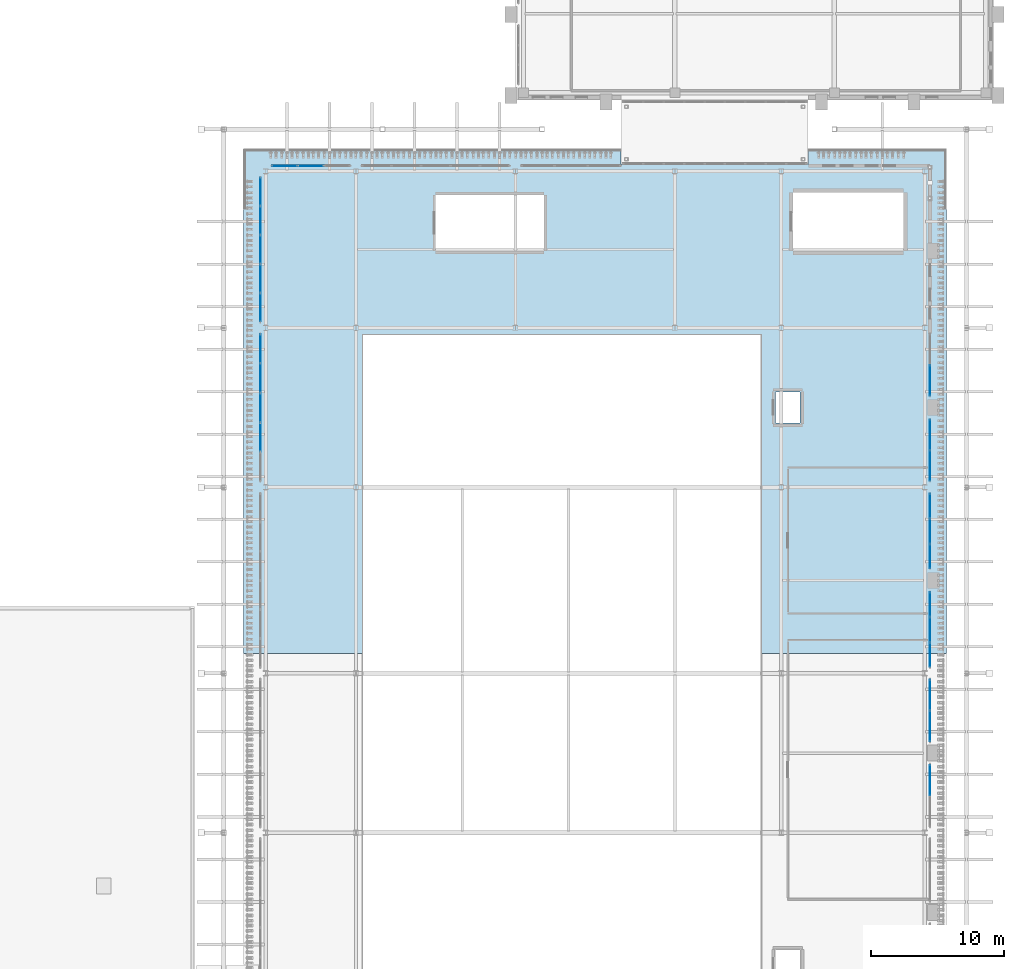
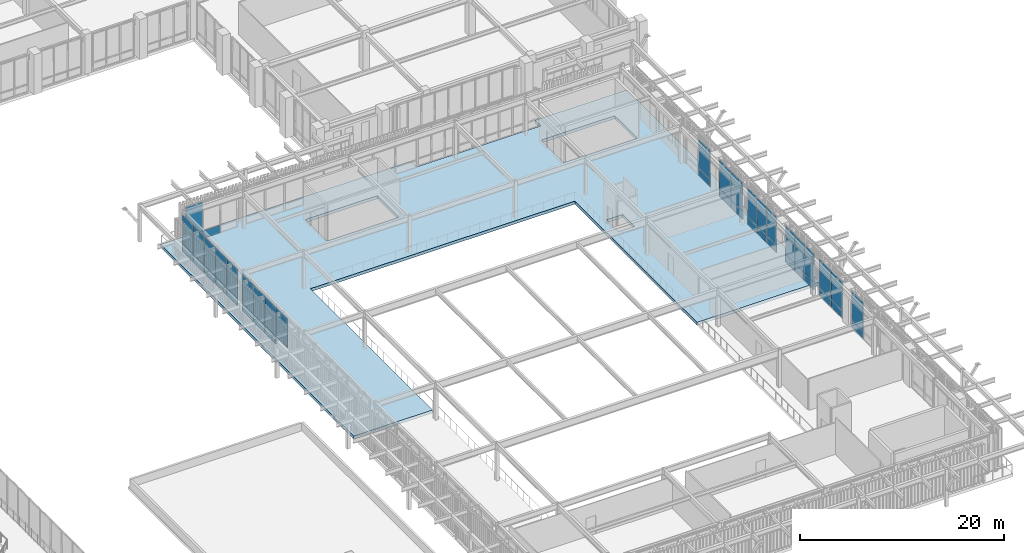
# One storey, part 76 of 126: 44 plates, 1 slab, 9 elements without a shape of their own.
"""IFC4 building model written with IfcOpenShell, lengths in metres."""

from ifc_helpers import new_model, si_unit, derived_unit, direction, frame, origin, origin_2d, place, context, subcontext, project, spatial, polyline, rectangle, outline, extrude, material, layer, layer_set, type_object, element, aggregate, save


model = new_model("IFC4")

# Units and contexts
model_context = context("Model", 3, precision=1e-05, world=origin(), true_north=direction((0.0, 1.0)))
body_context = subcontext(model_context, "Body", "Model", "MODEL_VIEW")
ifc_project = project(units=[si_unit("LENGTHUNIT", "METRE"), si_unit("AREAUNIT", "SQUARE_METRE"), si_unit("VOLUMEUNIT", "CUBIC_METRE"), si_unit("PLANEANGLEUNIT", "RADIAN"), si_unit("MASSUNIT", "GRAM", prefix="KILO"), derived_unit("THERMALTRANSMITTANCEUNIT", [(si_unit("MASSUNIT", "GRAM", prefix="KILO"), 1), (si_unit("TIMEUNIT", "SECOND"), -3), (si_unit("THERMODYNAMICTEMPERATUREUNIT", "KELVIN"), -1)])], contexts=[model_context])

# Site, building, storey
site_placement = place(None, origin())
site = spatial("IfcSite", under=ifc_project, at=site_placement, CompositionType="ELEMENT")
building_placement = place(site_placement, origin())
building = spatial("IfcBuilding", under=site, at=building_placement, Name="Valcora Ridge Arena", CompositionType="ELEMENT")
storey_placement = place(building_placement, frame((0.0, 0.0, 11.39990234375)))
storey = spatial("IfcBuildingStorey", under=building, at=storey_placement, Name="L02", CompositionType="ELEMENT", Elevation=11.39990234375)

# Curtain wall, plates
ifc_material_1 = material(Name="Anodised dark bronze architectural aluminium 6063-T6", Category="aluminium")
ifc_layer_1 = layer(ifc_material_1, 0.179931640625, Name="Anodised dark bronze architectural aluminium 6063-T6")
ifc_layer_set_1 = layer_set([ifc_layer_1], Name="Anodised dark bronze architectural aluminium 6063-T6")
curtain_wall_type_1 = type_object("IfcCurtainWallType", Name="TY-CURTAINWALL-CW-V2-GLAZ-057X45", PredefinedType="NOTDEFINED", material=ifc_layer_set_1)
curtain_wall_1_placement = place(storey_placement, origin())
curtain_wall_1 = element("IfcCurtainWall", 1, at=curtain_wall_1_placement, inside=storey, type_object=curtain_wall_type_1, Name="CW-V2-GLAZ-057X45 CW-0075", PredefinedType="NOTDEFINED")
ifc_material_2 = material(Name="Low-iron solar-control double glazing SHGC 0.28", Category="glass")
ifc_layer_2 = layer(ifc_material_2, 0.028076171875, Name="Low-iron solar-control double glazing SHGC 0.28")
ifc_layer_set_2 = layer_set([ifc_layer_2], Name="Low-iron solar-control double glazing SHGC 0.28")
plate_type_1 = type_object("IfcPlateType", Name="TY-PLT-CWP-1821X0875", PredefinedType="CURTAIN_PANEL", material=ifc_layer_set_2)
plate_1_placement = place(storey_placement, frame((187.199951171875, 41.39697265625, 0.050048828125), z_axis=(0.0, 0.0, 1.0), x_axis=(0.0, 1.0, 0.0)))
plate_1 = element("IfcPlate", 2, at=plate_1_placement, type_object=plate_type_1, Name="CW-0075/P00-00", PredefinedType="CURTAIN_PANEL", context=body_context, shape_type="SweptSolid", body=[
    extrude(rectangle(XDim=1.821044921875, YDim=0.028076171875, at=origin_2d()), origin(), (0.0, 0.0, 1.0), 0.875),
])
plate_2_placement = place(storey_placement, frame((187.199951171875, 45.18896484375, 0.050048828125), z_axis=(0.0, 0.0, 1.0), x_axis=(0.0, 1.0, 0.0)))
plate_2 = element("IfcPlate", 3, at=plate_2_placement, type_object=plate_type_1, Name="CW-0075/P02-00", PredefinedType="CURTAIN_PANEL", context=body_context, shape_type="SweptSolid", body=[
    extrude(rectangle(XDim=1.821044921875, YDim=0.028076171875, at=origin_2d()), origin(), (0.0, 0.0, 1.0), 0.875),
])

curtain_wall_2_placement = place(storey_placement, origin())
curtain_wall_2 = element("IfcCurtainWall", 4, at=curtain_wall_2_placement, inside=storey, type_object=curtain_wall_type_1, Name="CW-V2-GLAZ-057X45 CW-0076", PredefinedType="NOTDEFINED")
plate_3_placement = place(storey_placement, frame((187.199951171875, 48.810546875, 0.050048828125), z_axis=(0.0, 0.0, 1.0), x_axis=(0.0, 1.0, 0.0)))
plate_3 = element("IfcPlate", 5, at=plate_3_placement, type_object=plate_type_1, Name="CW-0076/P00-00", PredefinedType="CURTAIN_PANEL", context=body_context, shape_type="SweptSolid", body=[
    extrude(rectangle(XDim=1.821044921875, YDim=0.028076171875, at=origin_2d()), origin(), (0.0, 0.0, 1.0), 0.875),
])
plate_4_placement = place(storey_placement, frame((187.199951171875, 52.6025390625, 0.050048828125), z_axis=(0.0, 0.0, 1.0), x_axis=(0.0, 1.0, 0.0)))
plate_4 = element("IfcPlate", 6, at=plate_4_placement, type_object=plate_type_1, Name="CW-0076/P02-00", PredefinedType="CURTAIN_PANEL", context=body_context, shape_type="SweptSolid", body=[
    extrude(rectangle(XDim=1.821044921875, YDim=0.028076171875, at=origin_2d()), origin(), (0.0, 0.0, 1.0), 0.875),
])

# Plate
ifc_layer_3 = layer(ifc_material_2, 0.028076171875, Name="Low-iron solar-control double glazing SHGC 0.28")
ifc_layer_set_3 = layer_set([ifc_layer_3], Name="Low-iron solar-control double glazing SHGC 0.28")
plate_type_2 = type_object("IfcPlateType", Name="TY-PLT-CWP-1821X3455", PredefinedType="CURTAIN_PANEL", material=ifc_layer_set_3)
plate_5_placement = place(storey_placement, frame((187.199951171875, 41.39697265625, 0.97509765625), z_axis=(0.0, 0.0, 1.0), x_axis=(0.0, 1.0, 0.0)))
plate_5 = element("IfcPlate", 7, at=plate_5_placement, type_object=plate_type_2, Name="CW-0075/P00-01", PredefinedType="CURTAIN_PANEL", context=body_context, shape_type="SweptSolid", body=[
    extrude(rectangle(XDim=1.821044921875, YDim=0.028076171875, at=origin_2d()), origin(), (0.0, 0.0, 1.0), 3.455078125),
])

plate_6_placement = place(storey_placement, frame((187.199951171875, 45.18896484375, 0.97509765625), z_axis=(0.0, 0.0, 1.0), x_axis=(0.0, 1.0, 0.0)))
plate_6 = element("IfcPlate", 8, at=plate_6_placement, type_object=plate_type_2, Name="CW-0075/P02-01", PredefinedType="CURTAIN_PANEL", context=body_context, shape_type="SweptSolid", body=[
    extrude(rectangle(XDim=1.821044921875, YDim=0.028076171875, at=origin_2d()), origin(), (0.0, 0.0, 1.0), 3.455078125),
])

plate_7_placement = place(storey_placement, frame((187.199951171875, 48.810546875, 0.97509765625), z_axis=(0.0, 0.0, 1.0), x_axis=(0.0, 1.0, 0.0)))
plate_7 = element("IfcPlate", 9, at=plate_7_placement, type_object=plate_type_2, Name="CW-0076/P00-01", PredefinedType="CURTAIN_PANEL", context=body_context, shape_type="SweptSolid", body=[
    extrude(rectangle(XDim=1.821044921875, YDim=0.028076171875, at=origin_2d()), origin(), (0.0, 0.0, 1.0), 3.455078125),
])

plate_8_placement = place(storey_placement, frame((187.199951171875, 52.6025390625, 0.97509765625), z_axis=(0.0, 0.0, 1.0), x_axis=(0.0, 1.0, 0.0)))
plate_8 = element("IfcPlate", 10, at=plate_8_placement, type_object=plate_type_2, Name="CW-0076/P02-01", PredefinedType="CURTAIN_PANEL", context=body_context, shape_type="SweptSolid", body=[
    extrude(rectangle(XDim=1.821044921875, YDim=0.028076171875, at=origin_2d()), origin(), (0.0, 0.0, 1.0), 3.455078125),
])

ifc_layer_4 = layer(ifc_material_2, 0.028076171875, Name="Low-iron solar-control double glazing SHGC 0.28")
ifc_layer_set_4 = layer_set([ifc_layer_4], Name="Low-iron solar-control double glazing SHGC 0.28")
plate_type_3 = type_object("IfcPlateType", Name="TY-PLT-CWP-1851X0875", PredefinedType="CURTAIN_PANEL", material=ifc_layer_set_4)
plate_9_placement = place(storey_placement, frame((187.199951171875, 43.29296875, 0.050048828125), z_axis=(0.0, 0.0, 1.0), x_axis=(0.0, 1.0, 0.0)))
plate_9 = element("IfcPlate", 11, at=plate_9_placement, type_object=plate_type_3, Name="CW-0075/P01-00", PredefinedType="CURTAIN_PANEL", context=body_context, shape_type="SweptSolid", body=[
    extrude(rectangle(XDim=1.85107421875, YDim=0.028076171875, at=origin_2d()), origin(), (0.0, 0.0, 1.0), 0.875),
])

plate_10_placement = place(storey_placement, frame((187.199951171875, 50.70654296875, 0.050048828125), z_axis=(0.0, 0.0, 1.0), x_axis=(0.0, 1.0, 0.0)))
plate_10 = element("IfcPlate", 12, at=plate_10_placement, type_object=plate_type_3, Name="CW-0076/P01-00", PredefinedType="CURTAIN_PANEL", context=body_context, shape_type="SweptSolid", body=[
    extrude(rectangle(XDim=1.85107421875, YDim=0.028076171875, at=origin_2d()), origin(), (0.0, 0.0, 1.0), 0.875),
])

ifc_layer_5 = layer(ifc_material_2, 0.028076171875, Name="Low-iron solar-control double glazing SHGC 0.28")
ifc_layer_set_5 = layer_set([ifc_layer_5], Name="Low-iron solar-control double glazing SHGC 0.28")
plate_type_4 = type_object("IfcPlateType", Name="TY-PLT-CWP-1851X3455", PredefinedType="CURTAIN_PANEL", material=ifc_layer_set_5)
plate_11_placement = place(storey_placement, frame((187.199951171875, 43.29296875, 0.97509765625), z_axis=(0.0, 0.0, 1.0), x_axis=(0.0, 1.0, 0.0)))
plate_11 = element("IfcPlate", 13, at=plate_11_placement, type_object=plate_type_4, Name="CW-0075/P01-01", PredefinedType="CURTAIN_PANEL", context=body_context, shape_type="SweptSolid", body=[
    extrude(rectangle(XDim=1.85107421875, YDim=0.028076171875, at=origin_2d()), origin(), (0.0, 0.0, 1.0), 3.455078125),
])

aggregate(curtain_wall_1, [plate_1, plate_5, plate_9, plate_11, plate_2, plate_6])

plate_12_placement = place(storey_placement, frame((187.199951171875, 50.70654296875, 0.97509765625), z_axis=(0.0, 0.0, 1.0), x_axis=(0.0, 1.0, 0.0)))
plate_12 = element("IfcPlate", 14, at=plate_12_placement, type_object=plate_type_4, Name="CW-0076/P01-01", PredefinedType="CURTAIN_PANEL", context=body_context, shape_type="SweptSolid", body=[
    extrude(rectangle(XDim=1.85107421875, YDim=0.028076171875, at=origin_2d()), origin(), (0.0, 0.0, 1.0), 3.455078125),
])

aggregate(curtain_wall_2, [plate_3, plate_7, plate_10, plate_12, plate_4, plate_8])

# Curtain wall, plates
ifc_layer_6 = layer(ifc_material_1, 0.179931640625, Name="Anodised dark bronze architectural aluminium 6063-T6")
ifc_layer_set_6 = layer_set([ifc_layer_6], Name="Anodised dark bronze architectural aluminium 6063-T6")
curtain_wall_type_2 = type_object("IfcCurtainWallType", Name="TY-CURTAINWALL-CW-V2-GLAZ-059X45", PredefinedType="NOTDEFINED", material=ifc_layer_set_6)
curtain_wall_3_placement = place(storey_placement, origin())
curtain_wall_3 = element("IfcCurtainWall", 15, at=curtain_wall_3_placement, inside=storey, type_object=curtain_wall_type_2, Name="CW-V2-GLAZ-059X45 CW-0079", PredefinedType="NOTDEFINED")
ifc_layer_7 = layer(ifc_material_2, 0.028076171875, Name="Low-iron solar-control double glazing SHGC 0.28")
ifc_layer_set_7 = layer_set([ifc_layer_7], Name="Low-iron solar-control double glazing SHGC 0.28")
plate_type_5 = type_object("IfcPlateType", Name="TY-PLT-CWP-1892X0875", PredefinedType="CURTAIN_PANEL", material=ifc_layer_set_7)
plate_13_placement = place(storey_placement, frame((138.633056640625, 78.199951171875, 0.050048828125), z_axis=(0.0, 0.0, 1.0), x_axis=(1.0, 0.0, 0.0)))
plate_13 = element("IfcPlate", 16, at=plate_13_placement, type_object=plate_type_5, Name="CW-0079/P00-00", PredefinedType="CURTAIN_PANEL", context=body_context, shape_type="SweptSolid", body=[
    extrude(rectangle(XDim=1.89208984375, YDim=0.028076171875, at=origin_2d()), origin(), (0.0, 0.0, 1.0), 0.875),
])
ifc_layer_8 = layer(ifc_material_2, 0.028076171875, Name="Low-iron solar-control double glazing SHGC 0.28")
ifc_layer_set_8 = layer_set([ifc_layer_8], Name="Low-iron solar-control double glazing SHGC 0.28")
plate_type_6 = type_object("IfcPlateType", Name="TY-PLT-CWP-1892X3455", PredefinedType="CURTAIN_PANEL", material=ifc_layer_set_8)
plate_14_placement = place(storey_placement, frame((138.633056640625, 78.199951171875, 0.97509765625), z_axis=(0.0, 0.0, 1.0), x_axis=(1.0, 0.0, 0.0)))
plate_14 = element("IfcPlate", 17, at=plate_14_placement, type_object=plate_type_6, Name="CW-0079/P00-01", PredefinedType="CURTAIN_PANEL", context=body_context, shape_type="SweptSolid", body=[
    extrude(rectangle(XDim=1.89208984375, YDim=0.028076171875, at=origin_2d()), origin(), (0.0, 0.0, 1.0), 3.455078125),
])
ifc_layer_9 = layer(ifc_material_2, 0.028076171875, Name="Low-iron solar-control double glazing SHGC 0.28")
ifc_layer_set_9 = layer_set([ifc_layer_9], Name="Low-iron solar-control double glazing SHGC 0.28")
plate_type_7 = type_object("IfcPlateType", Name="TY-PLT-CWP-1922X0875", PredefinedType="CURTAIN_PANEL", material=ifc_layer_set_9)
plate_15_placement = place(storey_placement, frame((140.60009765625, 78.199951171875, 0.050048828125), z_axis=(0.0, 0.0, 1.0), x_axis=(1.0, 0.0, 0.0)))
plate_15 = element("IfcPlate", 18, at=plate_15_placement, type_object=plate_type_7, Name="CW-0079/P01-00", PredefinedType="CURTAIN_PANEL", context=body_context, shape_type="SweptSolid", body=[
    extrude(rectangle(XDim=1.922119140625, YDim=0.028076171875, at=origin_2d()), origin(), (0.0, 0.0, 1.0), 0.875),
])
aggregate(curtain_wall_3, [plate_13, plate_14, plate_15])

ifc_layer_10 = layer(ifc_material_1, 0.179931640625, Name="Anodised dark bronze architectural aluminium 6063-T6")
ifc_layer_set_10 = layer_set([ifc_layer_10], Name="Anodised dark bronze architectural aluminium 6063-T6")
curtain_wall_type_3 = type_object("IfcCurtainWallType", Name="TY-CURTAINWALL-CW-V2-GLAZ-109X45", PredefinedType="NOTDEFINED", material=ifc_layer_set_10)
curtain_wall_4_placement = place(storey_placement, origin())
curtain_wall_4 = element("IfcCurtainWall", 19, at=curtain_wall_4_placement, inside=storey, type_object=curtain_wall_type_3, Name="CW-V2-GLAZ-109X45 CW-0065", PredefinedType="NOTDEFINED")
ifc_layer_11 = layer(ifc_material_2, 0.028076171875, Name="Low-iron solar-control double glazing SHGC 0.28")
ifc_layer_set_11 = layer_set([ifc_layer_11], Name="Low-iron solar-control double glazing SHGC 0.28")
plate_type_8 = type_object("IfcPlateType", Name="TY-PLT-CWP-2099X0875", PredefinedType="CURTAIN_PANEL", material=ifc_layer_set_11)
plate_16_placement = place(storey_placement, frame((136.800048828125, 67.535888671875, 0.050048828125), z_axis=(0.0, 0.0, 1.0), x_axis=(0.0, 1.0, 0.0)))
plate_16 = element("IfcPlate", 20, at=plate_16_placement, type_object=plate_type_8, Name="CW-0065/P00-00", PredefinedType="CURTAIN_PANEL", context=body_context, shape_type="SweptSolid", body=[
    extrude(rectangle(XDim=2.09912109375, YDim=0.028076171875, at=origin_2d()), origin(), (0.0, 0.0, 1.0), 0.875),
])
plate_17_placement = place(storey_placement, frame((136.800048828125, 76.263916015625, 0.050048828125), z_axis=(0.0, 0.0, 1.0), x_axis=(0.0, 1.0, 0.0)))
plate_17 = element("IfcPlate", 21, at=plate_17_placement, type_object=plate_type_8, Name="CW-0065/P04-00", PredefinedType="CURTAIN_PANEL", context=body_context, shape_type="SweptSolid", body=[
    extrude(rectangle(XDim=2.09912109375, YDim=0.028076171875, at=origin_2d()), origin(), (0.0, 0.0, 1.0), 0.875),
])
ifc_layer_12 = layer(ifc_material_2, 0.028076171875, Name="Low-iron solar-control double glazing SHGC 0.28")
ifc_layer_set_12 = layer_set([ifc_layer_12], Name="Low-iron solar-control double glazing SHGC 0.28")
plate_type_9 = type_object("IfcPlateType", Name="TY-PLT-CWP-2099X3455", PredefinedType="CURTAIN_PANEL", material=ifc_layer_set_12)
plate_18_placement = place(storey_placement, frame((136.800048828125, 67.535888671875, 0.97509765625), z_axis=(0.0, 0.0, 1.0), x_axis=(0.0, 1.0, 0.0)))
plate_18 = element("IfcPlate", 22, at=plate_18_placement, type_object=plate_type_9, Name="CW-0065/P00-01", PredefinedType="CURTAIN_PANEL", context=body_context, shape_type="SweptSolid", body=[
    extrude(rectangle(XDim=2.09912109375, YDim=0.028076171875, at=origin_2d()), origin(), (0.0, 0.0, 1.0), 3.455078125),
])
plate_19_placement = place(storey_placement, frame((136.800048828125, 76.263916015625, 0.97509765625), z_axis=(0.0, 0.0, 1.0), x_axis=(0.0, 1.0, 0.0)))
plate_19 = element("IfcPlate", 23, at=plate_19_placement, type_object=plate_type_9, Name="CW-0065/P04-01", PredefinedType="CURTAIN_PANEL", context=body_context, shape_type="SweptSolid", body=[
    extrude(rectangle(XDim=2.09912109375, YDim=0.028076171875, at=origin_2d()), origin(), (0.0, 0.0, 1.0), 3.455078125),
])
ifc_layer_13 = layer(ifc_material_2, 0.028076171875, Name="Low-iron solar-control double glazing SHGC 0.28")
ifc_layer_set_13 = layer_set([ifc_layer_13], Name="Low-iron solar-control double glazing SHGC 0.28")
plate_type_10 = type_object("IfcPlateType", Name="TY-PLT-CWP-2129X0875", PredefinedType="CURTAIN_PANEL", material=ifc_layer_set_13)
plate_20_placement = place(storey_placement, frame((136.800048828125, 71.89990234375, 0.050048828125), z_axis=(0.0, 0.0, 1.0), x_axis=(0.0, 1.0, 0.0)))
plate_20 = element("IfcPlate", 24, at=plate_20_placement, type_object=plate_type_10, Name="CW-0065/P02-00", PredefinedType="CURTAIN_PANEL", context=body_context, shape_type="SweptSolid", body=[
    extrude(rectangle(XDim=2.12890625, YDim=0.028076171875, at=origin_2d()), origin(), (0.0, 0.0, 1.0), 0.875),
])
ifc_layer_14 = layer(ifc_material_2, 0.028076171875, Name="Low-iron solar-control double glazing SHGC 0.28")
ifc_layer_set_14 = layer_set([ifc_layer_14], Name="Low-iron solar-control double glazing SHGC 0.28")
plate_type_11 = type_object("IfcPlateType", Name="TY-PLT-CWP-2129X3455", PredefinedType="CURTAIN_PANEL", material=ifc_layer_set_14)
plate_21_placement = place(storey_placement, frame((136.800048828125, 71.89990234375, 0.97509765625), z_axis=(0.0, 0.0, 1.0), x_axis=(0.0, 1.0, 0.0)))
plate_21 = element("IfcPlate", 25, at=plate_21_placement, type_object=plate_type_11, Name="CW-0065/P02-01", PredefinedType="CURTAIN_PANEL", context=body_context, shape_type="SweptSolid", body=[
    extrude(rectangle(XDim=2.12890625, YDim=0.028076171875, at=origin_2d()), origin(), (0.0, 0.0, 1.0), 3.455078125),
])
ifc_layer_15 = layer(ifc_material_2, 0.028076171875, Name="Low-iron solar-control double glazing SHGC 0.28")
ifc_layer_set_15 = layer_set([ifc_layer_15], Name="Low-iron solar-control double glazing SHGC 0.28")
plate_type_12 = type_object("IfcPlateType", Name="TY-PLT-CWP-2130X0875", PredefinedType="CURTAIN_PANEL", material=ifc_layer_set_15)
plate_22_placement = place(storey_placement, frame((136.800048828125, 69.71044921875, 0.050048828125), z_axis=(0.0, 0.0, 1.0), x_axis=(0.0, 1.0, 0.0)))
plate_22 = element("IfcPlate", 26, at=plate_22_placement, type_object=plate_type_12, Name="CW-0065/P01-00", PredefinedType="CURTAIN_PANEL", context=body_context, shape_type="SweptSolid", body=[
    extrude(rectangle(XDim=2.1298828125, YDim=0.028076171875, at=origin_2d()), origin(), (0.0, 0.0, 1.0), 0.875),
])
plate_23_placement = place(storey_placement, frame((136.800048828125, 74.089599609375, 0.050048828125), z_axis=(0.0, 0.0, 1.0), x_axis=(0.0, 1.0, 0.0)))
plate_23 = element("IfcPlate", 27, at=plate_23_placement, type_object=plate_type_12, Name="CW-0065/P03-00", PredefinedType="CURTAIN_PANEL", context=body_context, shape_type="SweptSolid", body=[
    extrude(rectangle(XDim=2.1298828125, YDim=0.028076171875, at=origin_2d()), origin(), (0.0, 0.0, 1.0), 0.875),
])
ifc_layer_16 = layer(ifc_material_2, 0.028076171875, Name="Low-iron solar-control double glazing SHGC 0.28")
ifc_layer_set_16 = layer_set([ifc_layer_16], Name="Low-iron solar-control double glazing SHGC 0.28")
plate_type_13 = type_object("IfcPlateType", Name="TY-PLT-CWP-2130X3455", PredefinedType="CURTAIN_PANEL", material=ifc_layer_set_16)
plate_24_placement = place(storey_placement, frame((136.800048828125, 69.71044921875, 0.97509765625), z_axis=(0.0, 0.0, 1.0), x_axis=(0.0, 1.0, 0.0)))
plate_24 = element("IfcPlate", 28, at=plate_24_placement, type_object=plate_type_13, Name="CW-0065/P01-01", PredefinedType="CURTAIN_PANEL", context=body_context, shape_type="SweptSolid", body=[
    extrude(rectangle(XDim=2.1298828125, YDim=0.028076171875, at=origin_2d()), origin(), (0.0, 0.0, 1.0), 3.455078125),
])
plate_25_placement = place(storey_placement, frame((136.800048828125, 74.089599609375, 0.97509765625), z_axis=(0.0, 0.0, 1.0), x_axis=(0.0, 1.0, 0.0)))
plate_25 = element("IfcPlate", 29, at=plate_25_placement, type_object=plate_type_13, Name="CW-0065/P03-01", PredefinedType="CURTAIN_PANEL", context=body_context, shape_type="SweptSolid", body=[
    extrude(rectangle(XDim=2.1298828125, YDim=0.028076171875, at=origin_2d()), origin(), (0.0, 0.0, 1.0), 3.455078125),
])
aggregate(curtain_wall_4, [plate_16, plate_18, plate_22, plate_24, plate_20, plate_21, plate_23, plate_25, plate_17, plate_19])

ifc_layer_17 = layer(ifc_material_1, 0.179931640625, Name="Anodised dark bronze architectural aluminium 6063-T6")
ifc_layer_set_17 = layer_set([ifc_layer_17], Name="Anodised dark bronze architectural aluminium 6063-T6")
curtain_wall_type_4 = type_object("IfcCurtainWallType", Name="TY-CURTAINWALL-CW-V2-GLAZ-111X45", PredefinedType="NOTDEFINED", material=ifc_layer_set_17)
curtain_wall_5_placement = place(storey_placement, origin())
curtain_wall_5 = element("IfcCurtainWall", 30, at=curtain_wall_5_placement, inside=storey, type_object=curtain_wall_type_4, Name="CW-V2-GLAZ-111X45 CW-0064", PredefinedType="NOTDEFINED")
ifc_layer_18 = layer(ifc_material_2, 0.028076171875, Name="Low-iron solar-control double glazing SHGC 0.28")
ifc_layer_set_18 = layer_set([ifc_layer_18], Name="Low-iron solar-control double glazing SHGC 0.28")
plate_type_14 = type_object("IfcPlateType", Name="TY-PLT-CWP-2139X0875", PredefinedType="CURTAIN_PANEL", material=ifc_layer_set_18)
plate_26_placement = place(storey_placement, frame((136.800048828125, 64.444091796875, 0.050048828125), z_axis=(0.0, 0.0, 1.0), x_axis=(0.0, 1.0, 0.0)))
plate_26 = element("IfcPlate", 31, at=plate_26_placement, type_object=plate_type_14, Name="CW-0064/P04-00", PredefinedType="CURTAIN_PANEL", context=body_context, shape_type="SweptSolid", body=[
    extrude(rectangle(XDim=2.138916015625, YDim=0.028076171875, at=origin_2d()), origin(), (0.0, 0.0, 1.0), 0.875),
])
ifc_layer_19 = layer(ifc_material_2, 0.028076171875, Name="Low-iron solar-control double glazing SHGC 0.28")
ifc_layer_set_19 = layer_set([ifc_layer_19], Name="Low-iron solar-control double glazing SHGC 0.28")
plate_type_15 = type_object("IfcPlateType", Name="TY-PLT-CWP-2139X3455", PredefinedType="CURTAIN_PANEL", material=ifc_layer_set_19)
plate_27_placement = place(storey_placement, frame((136.800048828125, 64.444091796875, 0.97509765625), z_axis=(0.0, 0.0, 1.0), x_axis=(0.0, 1.0, 0.0)))
plate_27 = element("IfcPlate", 32, at=plate_27_placement, type_object=plate_type_15, Name="CW-0064/P04-01", PredefinedType="CURTAIN_PANEL", context=body_context, shape_type="SweptSolid", body=[
    extrude(rectangle(XDim=2.138916015625, YDim=0.028076171875, at=origin_2d()), origin(), (0.0, 0.0, 1.0), 3.455078125),
])
ifc_layer_20 = layer(ifc_material_2, 0.028076171875, Name="Low-iron solar-control double glazing SHGC 0.28")
ifc_layer_set_20 = layer_set([ifc_layer_20], Name="Low-iron solar-control double glazing SHGC 0.28")
plate_type_16 = type_object("IfcPlateType", Name="TY-PLT-CWP-2169X0875", PredefinedType="CURTAIN_PANEL", material=ifc_layer_set_20)
plate_28_placement = place(storey_placement, frame((136.800048828125, 60.0, 0.050048828125), z_axis=(0.0, 0.0, 1.0), x_axis=(0.0, 1.0, 0.0)))
plate_28 = element("IfcPlate", 33, at=plate_28_placement, type_object=plate_type_16, Name="CW-0064/P02-00", PredefinedType="CURTAIN_PANEL", context=body_context, shape_type="SweptSolid", body=[
    extrude(rectangle(XDim=2.1689453125, YDim=0.028076171875, at=origin_2d()), origin(), (0.0, 0.0, 1.0), 0.875),
])
ifc_layer_21 = layer(ifc_material_2, 0.028076171875, Name="Low-iron solar-control double glazing SHGC 0.28")
ifc_layer_set_21 = layer_set([ifc_layer_21], Name="Low-iron solar-control double glazing SHGC 0.28")
plate_type_17 = type_object("IfcPlateType", Name="TY-PLT-CWP-2169X3455", PredefinedType="CURTAIN_PANEL", material=ifc_layer_set_21)
plate_29_placement = place(storey_placement, frame((136.800048828125, 60.0, 0.97509765625), z_axis=(0.0, 0.0, 1.0), x_axis=(0.0, 1.0, 0.0)))
plate_29 = element("IfcPlate", 34, at=plate_29_placement, type_object=plate_type_17, Name="CW-0064/P02-01", PredefinedType="CURTAIN_PANEL", context=body_context, shape_type="SweptSolid", body=[
    extrude(rectangle(XDim=2.1689453125, YDim=0.028076171875, at=origin_2d()), origin(), (0.0, 0.0, 1.0), 3.455078125),
])
ifc_layer_22 = layer(ifc_material_2, 0.028076171875, Name="Low-iron solar-control double glazing SHGC 0.28")
ifc_layer_set_22 = layer_set([ifc_layer_22], Name="Low-iron solar-control double glazing SHGC 0.28")
plate_type_18 = type_object("IfcPlateType", Name="TY-PLT-CWP-2170X0875", PredefinedType="CURTAIN_PANEL", material=ifc_layer_set_22)
plate_30_placement = place(storey_placement, frame((136.800048828125, 62.2294921875, 0.050048828125), z_axis=(0.0, 0.0, 1.0), x_axis=(0.0, 1.0, 0.0)))
plate_30 = element("IfcPlate", 35, at=plate_30_placement, type_object=plate_type_18, Name="CW-0064/P03-00", PredefinedType="CURTAIN_PANEL", context=body_context, shape_type="SweptSolid", body=[
    extrude(rectangle(XDim=2.169921875, YDim=0.028076171875, at=origin_2d()), origin(), (0.0, 0.0, 1.0), 0.875),
])
ifc_layer_23 = layer(ifc_material_2, 0.028076171875, Name="Low-iron solar-control double glazing SHGC 0.28")
ifc_layer_set_23 = layer_set([ifc_layer_23], Name="Low-iron solar-control double glazing SHGC 0.28")
plate_type_19 = type_object("IfcPlateType", Name="TY-PLT-CWP-2170X3455", PredefinedType="CURTAIN_PANEL", material=ifc_layer_set_23)
plate_31_placement = place(storey_placement, frame((136.800048828125, 57.7705078125, 0.97509765625), z_axis=(0.0, 0.0, 1.0), x_axis=(0.0, 1.0, 0.0)))
plate_31 = element("IfcPlate", 36, at=plate_31_placement, type_object=plate_type_19, Name="CW-0064/P01-01", PredefinedType="CURTAIN_PANEL", context=body_context, shape_type="SweptSolid", body=[
    extrude(rectangle(XDim=2.169921875, YDim=0.028076171875, at=origin_2d()), origin(), (0.0, 0.0, 1.0), 3.455078125),
])
plate_32_placement = place(storey_placement, frame((136.800048828125, 62.2294921875, 0.97509765625), z_axis=(0.0, 0.0, 1.0), x_axis=(0.0, 1.0, 0.0)))
plate_32 = element("IfcPlate", 37, at=plate_32_placement, type_object=plate_type_19, Name="CW-0064/P03-01", PredefinedType="CURTAIN_PANEL", context=body_context, shape_type="SweptSolid", body=[
    extrude(rectangle(XDim=2.169921875, YDim=0.028076171875, at=origin_2d()), origin(), (0.0, 0.0, 1.0), 3.455078125),
])
aggregate(curtain_wall_5, [plate_31, plate_28, plate_29, plate_30, plate_32, plate_26, plate_27])

# Curtain wall, plate
ifc_layer_24 = layer(ifc_material_1, 0.179931640625, Name="Anodised dark bronze architectural aluminium 6063-T6")
ifc_layer_set_24 = layer_set([ifc_layer_24], Name="Anodised dark bronze architectural aluminium 6063-T6")
curtain_wall_type_5 = type_object("IfcCurtainWallType", Name="TY-CURTAINWALL-CW-V2-GLAZ-047X45", PredefinedType="NOTDEFINED", material=ifc_layer_set_24)
curtain_wall_6_placement = place(storey_placement, origin())
curtain_wall_6 = element("IfcCurtainWall", 38, at=curtain_wall_6_placement, inside=storey, type_object=curtain_wall_type_5, Name="CW-V2-GLAZ-047X45 CW-0073", PredefinedType="NOTDEFINED")
ifc_layer_25 = layer(ifc_material_2, 0.028076171875, Name="Low-iron solar-control double glazing SHGC 0.28")
ifc_layer_set_25 = layer_set([ifc_layer_25], Name="Low-iron solar-control double glazing SHGC 0.28")
plate_type_20 = type_object("IfcPlateType", Name="TY-PLT-CWP-2276X0875", PredefinedType="CURTAIN_PANEL", material=ifc_layer_set_25)
plate_33_placement = place(storey_placement, frame((187.199951171875, 31.96142578125, 0.050048828125), z_axis=(0.0, 0.0, 1.0), x_axis=(0.0, 1.0, 0.0)))
plate_33 = element("IfcPlate", 39, at=plate_33_placement, type_object=plate_type_20, Name="CW-0073/P01-00", PredefinedType="CURTAIN_PANEL", context=body_context, shape_type="SweptSolid", body=[
    extrude(rectangle(XDim=2.27587890625, YDim=0.028076171875, at=origin_2d()), origin(), (0.0, 0.0, 1.0), 0.875),
])

curtain_wall_7_placement = place(storey_placement, origin())
curtain_wall_7 = element("IfcCurtainWall", 40, at=curtain_wall_7_placement, inside=storey, type_object=curtain_wall_type_5, Name="CW-V2-GLAZ-047X45 CW-0074", PredefinedType="NOTDEFINED")
plate_34_placement = place(storey_placement, frame((187.199951171875, 38.375, 0.050048828125), z_axis=(0.0, 0.0, 1.0), x_axis=(0.0, 1.0, 0.0)))
plate_34 = element("IfcPlate", 41, at=plate_34_placement, type_object=plate_type_20, Name="CW-0074/P01-00", PredefinedType="CURTAIN_PANEL", context=body_context, shape_type="SweptSolid", body=[
    extrude(rectangle(XDim=2.27587890625, YDim=0.028076171875, at=origin_2d()), origin(), (0.0, 0.0, 1.0), 0.875),
])

curtain_wall_8_placement = place(storey_placement, origin())
curtain_wall_8 = element("IfcCurtainWall", 42, at=curtain_wall_8_placement, inside=storey, type_object=curtain_wall_type_5, Name="CW-V2-GLAZ-047X45 CW-0077", PredefinedType="NOTDEFINED")
plate_35_placement = place(storey_placement, frame((187.199951171875, 57.96142578125, 0.050048828125), z_axis=(0.0, 0.0, 1.0), x_axis=(0.0, 1.0, 0.0)))
plate_35 = element("IfcPlate", 43, at=plate_35_placement, type_object=plate_type_20, Name="CW-0077/P01-00", PredefinedType="CURTAIN_PANEL", context=body_context, shape_type="SweptSolid", body=[
    extrude(rectangle(XDim=2.27587890625, YDim=0.028076171875, at=origin_2d()), origin(), (0.0, 0.0, 1.0), 0.875),
])

# Plate
ifc_layer_26 = layer(ifc_material_2, 0.028076171875, Name="Low-iron solar-control double glazing SHGC 0.28")
ifc_layer_set_26 = layer_set([ifc_layer_26], Name="Low-iron solar-control double glazing SHGC 0.28")
plate_type_21 = type_object("IfcPlateType", Name="TY-PLT-CWP-2276X3455", PredefinedType="CURTAIN_PANEL", material=ifc_layer_set_26)
plate_36_placement = place(storey_placement, frame((187.199951171875, 31.96142578125, 0.97509765625), z_axis=(0.0, 0.0, 1.0), x_axis=(0.0, 1.0, 0.0)))
plate_36 = element("IfcPlate", 44, at=plate_36_placement, type_object=plate_type_21, Name="CW-0073/P01-01", PredefinedType="CURTAIN_PANEL", context=body_context, shape_type="SweptSolid", body=[
    extrude(rectangle(XDim=2.27587890625, YDim=0.028076171875, at=origin_2d()), origin(), (0.0, 0.0, 1.0), 3.455078125),
])

aggregate(curtain_wall_6, [plate_33, plate_36])

plate_37_placement = place(storey_placement, frame((187.199951171875, 38.375, 0.97509765625), z_axis=(0.0, 0.0, 1.0), x_axis=(0.0, 1.0, 0.0)))
plate_37 = element("IfcPlate", 45, at=plate_37_placement, type_object=plate_type_21, Name="CW-0074/P01-01", PredefinedType="CURTAIN_PANEL", context=body_context, shape_type="SweptSolid", body=[
    extrude(rectangle(XDim=2.27587890625, YDim=0.028076171875, at=origin_2d()), origin(), (0.0, 0.0, 1.0), 3.455078125),
])

plate_38_placement = place(storey_placement, frame((187.199951171875, 57.96142578125, 0.97509765625), z_axis=(0.0, 0.0, 1.0), x_axis=(0.0, 1.0, 0.0)))
plate_38 = element("IfcPlate", 46, at=plate_38_placement, type_object=plate_type_21, Name="CW-0077/P01-01", PredefinedType="CURTAIN_PANEL", context=body_context, shape_type="SweptSolid", body=[
    extrude(rectangle(XDim=2.27587890625, YDim=0.028076171875, at=origin_2d()), origin(), (0.0, 0.0, 1.0), 3.455078125),
])

ifc_layer_27 = layer(ifc_material_2, 0.028076171875, Name="Low-iron solar-control double glazing SHGC 0.28")
ifc_layer_set_27 = layer_set([ifc_layer_27], Name="Low-iron solar-control double glazing SHGC 0.28")
plate_type_22 = type_object("IfcPlateType", Name="TY-PLT-CWP-2277X0875", PredefinedType="CURTAIN_PANEL", material=ifc_layer_set_27)
plate_39_placement = place(storey_placement, frame((187.199951171875, 36.03857421875, 0.050048828125), z_axis=(0.0, 0.0, 1.0), x_axis=(0.0, 1.0, 0.0)))
plate_39 = element("IfcPlate", 47, at=plate_39_placement, type_object=plate_type_22, Name="CW-0074/P00-00", PredefinedType="CURTAIN_PANEL", context=body_context, shape_type="SweptSolid", body=[
    extrude(rectangle(XDim=2.277099609375, YDim=0.028076171875, at=origin_2d()), origin(), (0.0, 0.0, 1.0), 0.875),
])

plate_40_placement = place(storey_placement, frame((187.199951171875, 55.625, 0.050048828125), z_axis=(0.0, 0.0, 1.0), x_axis=(0.0, 1.0, 0.0)))
plate_40 = element("IfcPlate", 48, at=plate_40_placement, type_object=plate_type_22, Name="CW-0077/P00-00", PredefinedType="CURTAIN_PANEL", context=body_context, shape_type="SweptSolid", body=[
    extrude(rectangle(XDim=2.277099609375, YDim=0.028076171875, at=origin_2d()), origin(), (0.0, 0.0, 1.0), 0.875),
])

# Curtain wall, plate
curtain_wall_9_placement = place(storey_placement, origin())
curtain_wall_9 = element("IfcCurtainWall", 49, at=curtain_wall_9_placement, inside=storey, type_object=curtain_wall_type_5, Name="CW-V2-GLAZ-047X45 CW-0078", PredefinedType="NOTDEFINED")
plate_41_placement = place(storey_placement, frame((187.199951171875, 62.03857421875, 0.050048828125), z_axis=(0.0, 0.0, 1.0), x_axis=(0.0, 1.0, 0.0)))
plate_41 = element("IfcPlate", 50, at=plate_41_placement, type_object=plate_type_22, Name="CW-0078/P00-00", PredefinedType="CURTAIN_PANEL", context=body_context, shape_type="SweptSolid", body=[
    extrude(rectangle(XDim=2.277099609375, YDim=0.028076171875, at=origin_2d()), origin(), (0.0, 0.0, 1.0), 0.875),
])

# Plate
ifc_layer_28 = layer(ifc_material_2, 0.028076171875, Name="Low-iron solar-control double glazing SHGC 0.28")
ifc_layer_set_28 = layer_set([ifc_layer_28], Name="Low-iron solar-control double glazing SHGC 0.28")
plate_type_23 = type_object("IfcPlateType", Name="TY-PLT-CWP-2277X3455", PredefinedType="CURTAIN_PANEL", material=ifc_layer_set_28)
plate_42_placement = place(storey_placement, frame((187.199951171875, 36.03857421875, 0.97509765625), z_axis=(0.0, 0.0, 1.0), x_axis=(0.0, 1.0, 0.0)))
plate_42 = element("IfcPlate", 51, at=plate_42_placement, type_object=plate_type_23, Name="CW-0074/P00-01", PredefinedType="CURTAIN_PANEL", context=body_context, shape_type="SweptSolid", body=[
    extrude(rectangle(XDim=2.277099609375, YDim=0.028076171875, at=origin_2d()), origin(), (0.0, 0.0, 1.0), 3.455078125),
])

aggregate(curtain_wall_7, [plate_39, plate_42, plate_34, plate_37])

plate_43_placement = place(storey_placement, frame((187.199951171875, 55.625, 0.97509765625), z_axis=(0.0, 0.0, 1.0), x_axis=(0.0, 1.0, 0.0)))
plate_43 = element("IfcPlate", 52, at=plate_43_placement, type_object=plate_type_23, Name="CW-0077/P00-01", PredefinedType="CURTAIN_PANEL", context=body_context, shape_type="SweptSolid", body=[
    extrude(rectangle(XDim=2.277099609375, YDim=0.028076171875, at=origin_2d()), origin(), (0.0, 0.0, 1.0), 3.455078125),
])

aggregate(curtain_wall_8, [plate_40, plate_43, plate_35, plate_38])

plate_44_placement = place(storey_placement, frame((187.199951171875, 62.03857421875, 0.97509765625), z_axis=(0.0, 0.0, 1.0), x_axis=(0.0, 1.0, 0.0)))
plate_44 = element("IfcPlate", 53, at=plate_44_placement, type_object=plate_type_23, Name="CW-0078/P00-01", PredefinedType="CURTAIN_PANEL", context=body_context, shape_type="SweptSolid", body=[
    extrude(rectangle(XDim=2.277099609375, YDim=0.028076171875, at=origin_2d()), origin(), (0.0, 0.0, 1.0), 3.455078125),
])

aggregate(curtain_wall_9, [plate_41, plate_44])

# Slab
ifc_material_3 = material(Name="Concrete C40/50", Category="concrete")
ifc_layer_29 = layer(ifc_material_3, 0.360107421875, Name="Concrete C40/50")
ifc_layer_set_29 = layer_set([ifc_layer_29], Name="Concrete C40/50")
slab_type = type_object("IfcSlabType", Name="TY-SLAB-SL-GAL-360-N", PredefinedType="FLOOR", material=ifc_layer_set_29)
slab_placement = place(storey_placement, frame((0.0, 0.0, -0.35986328125)))
element("IfcSlab", 54, at=slab_placement, inside=storey, type_object=slab_type, Name="SL-GAL-360-N SLB-0056", PredefinedType="FLOOR", context=body_context, shape_type="SweptSolid", body=[
    extrude(outline(polyline([(163.949951171875, 78.35009765625), (163.949951171875, 79.449951171875), (135.550048828125, 79.449951171875), (135.550048828125, 41.5), (144.5, 41.5), (144.5, 65.5), (174.5, 65.5), (174.5, 41.5), (188.449951171875, 41.5), (188.449951171875, 79.449951171875), (178.050048828125, 79.449951171875), (178.050048828125, 78.35009765625), (163.949951171875, 78.35009765625)]), holes=[polyline([(158.159912109375, 76.0), (150.0, 76.0), (150.0, 71.800048828125), (158.159912109375, 71.800048828125), (158.159912109375, 76.0)]), polyline([(176.8798828125, 76.199951171875), (176.8798828125, 71.800048828125), (185.199951171875, 71.800048828125), (185.199951171875, 76.199951171875), (176.8798828125, 76.199951171875)]), polyline([(177.419921875, 61.169921875), (175.580078125, 61.169921875), (175.580078125, 58.830078125), (177.419921875, 58.830078125), (177.419921875, 61.169921875)])]), origin(), (0.0, 0.0, 1.0), 0.35986328125),
])

save(model, "model.ifc")
